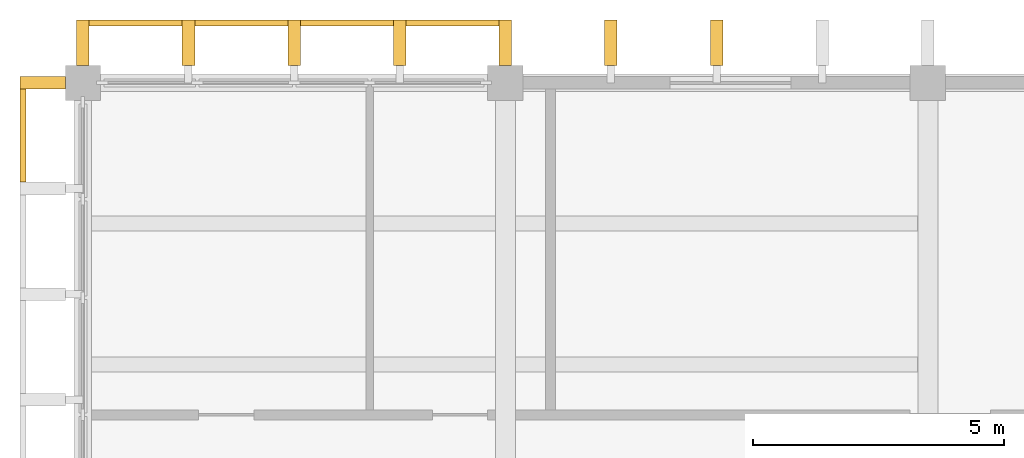
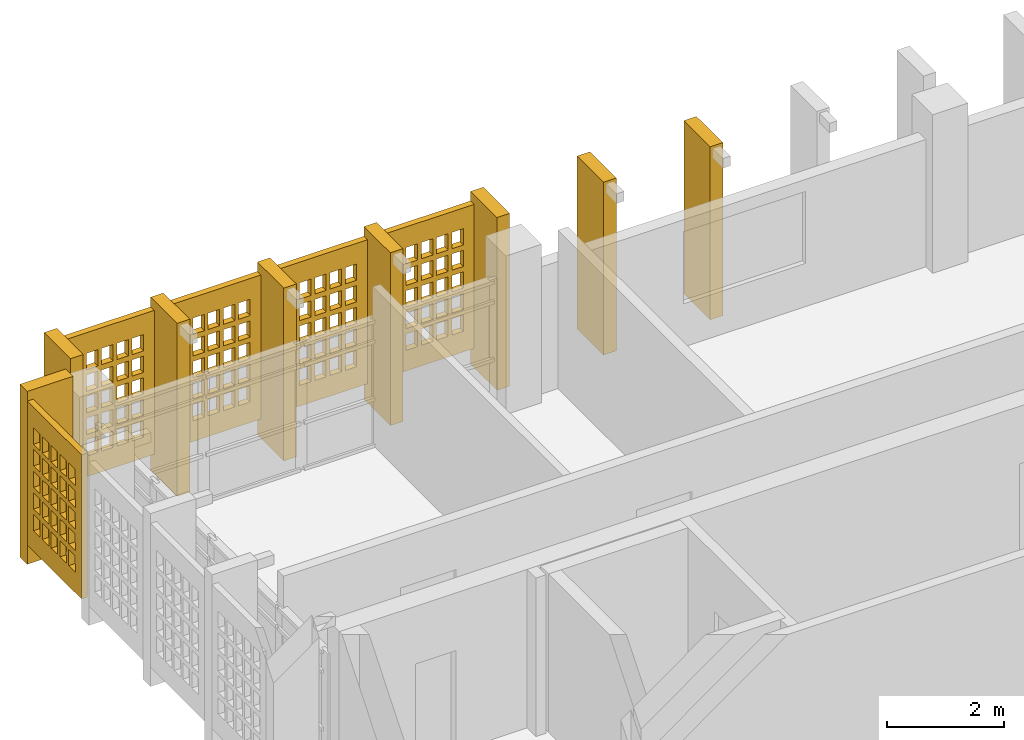
# One storey, part 11 of 13: 13 shading devices, 5 openings.
"""IFC4 building model written with IfcOpenShell, lengths in metres."""

from ifc_helpers import new_model, si_unit, direction, frame, origin, origin_2d, place, context, subcontext, project, spatial, rectangle, extrude, material, layer, layer_set, material_profile, profile_set, type_object, element, save


model = new_model("IFC4")

# Units and contexts
model_context = context("Model", 3, precision=1e-05, world=origin(), true_north=direction((0.0, 1.0)))
body_context = subcontext(model_context, "Body", "Model", "MODEL_VIEW")
ifc_project = project(units=[si_unit("LENGTHUNIT", "METRE"), si_unit("AREAUNIT", "SQUARE_METRE"), si_unit("VOLUMEUNIT", "CUBIC_METRE"), si_unit("PLANEANGLEUNIT", "RADIAN"), si_unit("MASSUNIT", "GRAM", prefix="KILO")], contexts=[model_context])

# Site, building, storey
site_placement = place(None, origin())
site = spatial("IfcSite", under=ifc_project, at=site_placement, CompositionType="ELEMENT")
building_placement = place(site_placement, origin())
building = spatial("IfcBuilding", under=site, at=building_placement, Name="Rulbaag Community and Learning Centre", CompositionType="ELEMENT")
storey_placement = place(building_placement, frame((0.0, 0.0, 54.0)))
storey = spatial("IfcBuildingStorey", under=building, at=storey_placement, Name="L14", CompositionType="ELEMENT", Elevation=54.0)

# Shading devices
ifc_material = material(Name="Concrete M40", Category="concrete")
ifc_material_profile = material_profile(ifc_material, rectangle(XDim=0.25, YDim=0.89990234375, at=origin_2d()), Name="PC 250x900")
ifc_profile_set = profile_set([ifc_material_profile], Name="Concrete M40")
shading_device_type_1 = type_object("IfcShadingDeviceType", Name="FIN-H", PredefinedType="JALOUSIE", material=ifc_profile_set)
for number, where, z_axis, x_axis, name in (
    (1, (142.800048828125, 118.39990234375, 0.0), (0.0, 0.0, 1.0), (1.0, 0.0, 0.0), "Precast fin"),
    (2, (144.89990234375, 118.39990234375, 0.0), (0.0, 0.0, 1.0), (1.0, 0.0, 0.0), "Precast fin"),
    (3, (147.0, 118.39990234375, 0.0), (0.0, 0.0, 1.0), (1.0, 0.0, 0.0), "Precast fin"),
    (4, (149.10009765625, 118.39990234375, 0.0), (0.0, 0.0, 1.0), (1.0, 0.0, 0.0), "Precast fin"),
    (5, (151.199951171875, 118.39990234375, 0.0), (0.0, 0.0, 1.0), (1.0, 0.0, 0.0), "Precast fin"),
    (6, (153.300048828125, 118.39990234375, 0.0), (0.0, 0.0, 1.0), (1.0, 0.0, 0.0), "Precast fin"),
    (7, (155.39990234375, 118.39990234375, 0.0), (0.0, 0.0, 1.0), (1.0, 0.0, 0.0), "Precast fin"),
    (8, (142.0, 117.60009765625, 0.0), (0.0, 0.0, 1.0), (0.0, 1.0, 0.0), "Precast fin"),
):
    element("IfcShadingDevice", number, at=place(storey_placement, frame(where, z_axis=z_axis, x_axis=x_axis)), inside=storey, type_object=shading_device_type_1, Name=name, PredefinedType="JALOUSIE", context=body_context, shape_type="SweptSolid", body=[
        extrude(rectangle(XDim=0.25, YDim=0.89990234375, at=origin_2d()), origin(), (0.0, 0.0, 1.0), 3.60009765625),
    ])

# Shading device, opening
ifc_layer = layer(ifc_material, 0.1201171875)
ifc_layer_set = layer_set([ifc_layer], Name="JB-83")
shading_device_type_2 = type_object("IfcShadingDeviceType", Name="JB-83", PredefinedType="SHUTTER", material=ifc_layer_set)
shading_device_1_placement = place(storey_placement, frame((143.85009765625, 118.7900390625, 0.39990234375), z_axis=(0.0, 0.0, 1.0), x_axis=(1.0, 0.0, 0.0)))
shading_device_1 = element("IfcShadingDevice", 9, at=shading_device_1_placement, inside=storey, type_object=shading_device_type_2, Name="Jaali screen", PredefinedType="SHUTTER", context=body_context, shape_type="SweptSolid", body=[
    extrude(rectangle(XDim=1.85009765625, YDim=0.1201171875, at=origin_2d()), origin(), (0.0, 0.0, 1.0), 3.0),
])
opening_1_placement = place(shading_device_1_placement, origin())
element("IfcOpeningElement", 10, at=opening_1_placement, cuts=shading_device_1, Name="Perforation JB1", PredefinedType="OPENING", context=body_context, shape_type="SweptSolid", body=[
    extrude(rectangle(XDim=0.22509765625, YDim=0.340087890625, at=origin_2d()), frame((-0.60009765625, -0.070068359375, 0.60009765625), z_axis=(0.0, 1.0, 0.0), x_axis=(1.0, 0.0, 0.0)), (0.0, 0.0, 1.0), 0.139892578125),
    extrude(rectangle(XDim=0.22509765625, YDim=0.340087890625, at=origin_2d()), frame((-0.300048828125, -0.070068359375, 0.60009765625), z_axis=(0.0, 1.0, 0.0), x_axis=(1.0, 0.0, 0.0)), (0.0, 0.0, 1.0), 0.139892578125),
    extrude(rectangle(XDim=0.22509765625, YDim=0.340087890625, at=origin_2d()), frame((0.0, -0.070068359375, 0.60009765625), z_axis=(0.0, 1.0, 0.0), x_axis=(1.0, 0.0, 0.0)), (0.0, 0.0, 1.0), 0.139892578125),
    extrude(rectangle(XDim=0.22509765625, YDim=0.340087890625, at=origin_2d()), frame((0.300048828125, -0.070068359375, 0.60009765625), z_axis=(0.0, 1.0, 0.0), x_axis=(1.0, 0.0, 0.0)), (0.0, 0.0, 1.0), 0.139892578125),
    extrude(rectangle(XDim=0.22509765625, YDim=0.340087890625, at=origin_2d()), frame((0.60009765625, -0.070068359375, 0.60009765625), z_axis=(0.0, 1.0, 0.0), x_axis=(1.0, 0.0, 0.0)), (0.0, 0.0, 1.0), 0.139892578125),
    extrude(rectangle(XDim=0.22509765625, YDim=0.340087890625, at=origin_2d()), frame((-0.60009765625, -0.070068359375, 1.050048828125), z_axis=(0.0, 1.0, 0.0), x_axis=(1.0, 0.0, 0.0)), (0.0, 0.0, 1.0), 0.139892578125),
    extrude(rectangle(XDim=0.22509765625, YDim=0.340087890625, at=origin_2d()), frame((-0.300048828125, -0.070068359375, 1.050048828125), z_axis=(0.0, 1.0, 0.0), x_axis=(1.0, 0.0, 0.0)), (0.0, 0.0, 1.0), 0.139892578125),
    extrude(rectangle(XDim=0.22509765625, YDim=0.340087890625, at=origin_2d()), frame((0.0, -0.070068359375, 1.050048828125), z_axis=(0.0, 1.0, 0.0), x_axis=(1.0, 0.0, 0.0)), (0.0, 0.0, 1.0), 0.139892578125),
    extrude(rectangle(XDim=0.22509765625, YDim=0.340087890625, at=origin_2d()), frame((0.300048828125, -0.070068359375, 1.050048828125), z_axis=(0.0, 1.0, 0.0), x_axis=(1.0, 0.0, 0.0)), (0.0, 0.0, 1.0), 0.139892578125),
    extrude(rectangle(XDim=0.22509765625, YDim=0.340087890625, at=origin_2d()), frame((0.60009765625, -0.070068359375, 1.050048828125), z_axis=(0.0, 1.0, 0.0), x_axis=(1.0, 0.0, 0.0)), (0.0, 0.0, 1.0), 0.139892578125),
    extrude(rectangle(XDim=0.22509765625, YDim=0.340087890625, at=origin_2d()), frame((-0.60009765625, -0.070068359375, 1.5), z_axis=(0.0, 1.0, 0.0), x_axis=(1.0, 0.0, 0.0)), (0.0, 0.0, 1.0), 0.139892578125),
    extrude(rectangle(XDim=0.22509765625, YDim=0.340087890625, at=origin_2d()), frame((-0.300048828125, -0.070068359375, 1.5), z_axis=(0.0, 1.0, 0.0), x_axis=(1.0, 0.0, 0.0)), (0.0, 0.0, 1.0), 0.139892578125),
    extrude(rectangle(XDim=0.22509765625, YDim=0.340087890625, at=origin_2d()), frame((0.0, -0.070068359375, 1.5), z_axis=(0.0, 1.0, 0.0), x_axis=(1.0, 0.0, 0.0)), (0.0, 0.0, 1.0), 0.139892578125),
    extrude(rectangle(XDim=0.22509765625, YDim=0.340087890625, at=origin_2d()), frame((0.300048828125, -0.070068359375, 1.5), z_axis=(0.0, 1.0, 0.0), x_axis=(1.0, 0.0, 0.0)), (0.0, 0.0, 1.0), 0.139892578125),
    extrude(rectangle(XDim=0.22509765625, YDim=0.340087890625, at=origin_2d()), frame((0.60009765625, -0.070068359375, 1.5), z_axis=(0.0, 1.0, 0.0), x_axis=(1.0, 0.0, 0.0)), (0.0, 0.0, 1.0), 0.139892578125),
    extrude(rectangle(XDim=0.22509765625, YDim=0.340087890625, at=origin_2d()), frame((-0.60009765625, -0.070068359375, 1.949951171875), z_axis=(0.0, 1.0, 0.0), x_axis=(1.0, 0.0, 0.0)), (0.0, 0.0, 1.0), 0.139892578125),
    extrude(rectangle(XDim=0.22509765625, YDim=0.340087890625, at=origin_2d()), frame((-0.300048828125, -0.070068359375, 1.949951171875), z_axis=(0.0, 1.0, 0.0), x_axis=(1.0, 0.0, 0.0)), (0.0, 0.0, 1.0), 0.139892578125),
    extrude(rectangle(XDim=0.22509765625, YDim=0.340087890625, at=origin_2d()), frame((0.0, -0.070068359375, 1.949951171875), z_axis=(0.0, 1.0, 0.0), x_axis=(1.0, 0.0, 0.0)), (0.0, 0.0, 1.0), 0.139892578125),
    extrude(rectangle(XDim=0.22509765625, YDim=0.340087890625, at=origin_2d()), frame((0.300048828125, -0.070068359375, 1.949951171875), z_axis=(0.0, 1.0, 0.0), x_axis=(1.0, 0.0, 0.0)), (0.0, 0.0, 1.0), 0.139892578125),
    extrude(rectangle(XDim=0.22509765625, YDim=0.340087890625, at=origin_2d()), frame((0.60009765625, -0.070068359375, 1.949951171875), z_axis=(0.0, 1.0, 0.0), x_axis=(1.0, 0.0, 0.0)), (0.0, 0.0, 1.0), 0.139892578125),
    extrude(rectangle(XDim=0.22509765625, YDim=0.340087890625, at=origin_2d()), frame((-0.60009765625, -0.070068359375, 2.39990234375), z_axis=(0.0, 1.0, 0.0), x_axis=(1.0, 0.0, 0.0)), (0.0, 0.0, 1.0), 0.139892578125),
    extrude(rectangle(XDim=0.22509765625, YDim=0.340087890625, at=origin_2d()), frame((-0.300048828125, -0.070068359375, 2.39990234375), z_axis=(0.0, 1.0, 0.0), x_axis=(1.0, 0.0, 0.0)), (0.0, 0.0, 1.0), 0.139892578125),
    extrude(rectangle(XDim=0.22509765625, YDim=0.340087890625, at=origin_2d()), frame((0.0, -0.070068359375, 2.39990234375), z_axis=(0.0, 1.0, 0.0), x_axis=(1.0, 0.0, 0.0)), (0.0, 0.0, 1.0), 0.139892578125),
    extrude(rectangle(XDim=0.22509765625, YDim=0.340087890625, at=origin_2d()), frame((0.300048828125, -0.070068359375, 2.39990234375), z_axis=(0.0, 1.0, 0.0), x_axis=(1.0, 0.0, 0.0)), (0.0, 0.0, 1.0), 0.139892578125),
    extrude(rectangle(XDim=0.22509765625, YDim=0.340087890625, at=origin_2d()), frame((0.60009765625, -0.070068359375, 2.39990234375), z_axis=(0.0, 1.0, 0.0), x_axis=(1.0, 0.0, 0.0)), (0.0, 0.0, 1.0), 0.139892578125),
])

shading_device_2_placement = place(storey_placement, frame((145.949951171875, 118.7900390625, 0.39990234375), z_axis=(0.0, 0.0, 1.0), x_axis=(1.0, 0.0, 0.0)))
shading_device_2 = element("IfcShadingDevice", 11, at=shading_device_2_placement, inside=storey, type_object=shading_device_type_2, Name="Jaali screen", PredefinedType="SHUTTER", context=body_context, shape_type="SweptSolid", body=[
    extrude(rectangle(XDim=1.85009765625, YDim=0.1201171875, at=origin_2d()), origin(), (0.0, 0.0, 1.0), 3.0),
])
opening_2_placement = place(shading_device_2_placement, origin())
element("IfcOpeningElement", 12, at=opening_2_placement, cuts=shading_device_2, Name="Perforation JB1", PredefinedType="OPENING", context=body_context, shape_type="SweptSolid", body=[
    extrude(rectangle(XDim=0.22509765625, YDim=0.340087890625, at=origin_2d()), frame((-0.60009765625, -0.070068359375, 0.60009765625), z_axis=(0.0, 1.0, 0.0), x_axis=(1.0, 0.0, 0.0)), (0.0, 0.0, 1.0), 0.139892578125),
    extrude(rectangle(XDim=0.22509765625, YDim=0.340087890625, at=origin_2d()), frame((-0.300048828125, -0.070068359375, 0.60009765625), z_axis=(0.0, 1.0, 0.0), x_axis=(1.0, 0.0, 0.0)), (0.0, 0.0, 1.0), 0.139892578125),
    extrude(rectangle(XDim=0.22509765625, YDim=0.340087890625, at=origin_2d()), frame((0.0, -0.070068359375, 0.60009765625), z_axis=(0.0, 1.0, 0.0), x_axis=(1.0, 0.0, 0.0)), (0.0, 0.0, 1.0), 0.139892578125),
    extrude(rectangle(XDim=0.22509765625, YDim=0.340087890625, at=origin_2d()), frame((0.300048828125, -0.070068359375, 0.60009765625), z_axis=(0.0, 1.0, 0.0), x_axis=(1.0, 0.0, 0.0)), (0.0, 0.0, 1.0), 0.139892578125),
    extrude(rectangle(XDim=0.22509765625, YDim=0.340087890625, at=origin_2d()), frame((0.60009765625, -0.070068359375, 0.60009765625), z_axis=(0.0, 1.0, 0.0), x_axis=(1.0, 0.0, 0.0)), (0.0, 0.0, 1.0), 0.139892578125),
    extrude(rectangle(XDim=0.22509765625, YDim=0.340087890625, at=origin_2d()), frame((-0.60009765625, -0.070068359375, 1.050048828125), z_axis=(0.0, 1.0, 0.0), x_axis=(1.0, 0.0, 0.0)), (0.0, 0.0, 1.0), 0.139892578125),
    extrude(rectangle(XDim=0.22509765625, YDim=0.340087890625, at=origin_2d()), frame((-0.300048828125, -0.070068359375, 1.050048828125), z_axis=(0.0, 1.0, 0.0), x_axis=(1.0, 0.0, 0.0)), (0.0, 0.0, 1.0), 0.139892578125),
    extrude(rectangle(XDim=0.22509765625, YDim=0.340087890625, at=origin_2d()), frame((0.0, -0.070068359375, 1.050048828125), z_axis=(0.0, 1.0, 0.0), x_axis=(1.0, 0.0, 0.0)), (0.0, 0.0, 1.0), 0.139892578125),
    extrude(rectangle(XDim=0.22509765625, YDim=0.340087890625, at=origin_2d()), frame((0.300048828125, -0.070068359375, 1.050048828125), z_axis=(0.0, 1.0, 0.0), x_axis=(1.0, 0.0, 0.0)), (0.0, 0.0, 1.0), 0.139892578125),
    extrude(rectangle(XDim=0.22509765625, YDim=0.340087890625, at=origin_2d()), frame((0.60009765625, -0.070068359375, 1.050048828125), z_axis=(0.0, 1.0, 0.0), x_axis=(1.0, 0.0, 0.0)), (0.0, 0.0, 1.0), 0.139892578125),
    extrude(rectangle(XDim=0.22509765625, YDim=0.340087890625, at=origin_2d()), frame((-0.60009765625, -0.070068359375, 1.5), z_axis=(0.0, 1.0, 0.0), x_axis=(1.0, 0.0, 0.0)), (0.0, 0.0, 1.0), 0.139892578125),
    extrude(rectangle(XDim=0.22509765625, YDim=0.340087890625, at=origin_2d()), frame((-0.300048828125, -0.070068359375, 1.5), z_axis=(0.0, 1.0, 0.0), x_axis=(1.0, 0.0, 0.0)), (0.0, 0.0, 1.0), 0.139892578125),
    extrude(rectangle(XDim=0.22509765625, YDim=0.340087890625, at=origin_2d()), frame((0.0, -0.070068359375, 1.5), z_axis=(0.0, 1.0, 0.0), x_axis=(1.0, 0.0, 0.0)), (0.0, 0.0, 1.0), 0.139892578125),
    extrude(rectangle(XDim=0.22509765625, YDim=0.340087890625, at=origin_2d()), frame((0.300048828125, -0.070068359375, 1.5), z_axis=(0.0, 1.0, 0.0), x_axis=(1.0, 0.0, 0.0)), (0.0, 0.0, 1.0), 0.139892578125),
    extrude(rectangle(XDim=0.22509765625, YDim=0.340087890625, at=origin_2d()), frame((0.60009765625, -0.070068359375, 1.5), z_axis=(0.0, 1.0, 0.0), x_axis=(1.0, 0.0, 0.0)), (0.0, 0.0, 1.0), 0.139892578125),
    extrude(rectangle(XDim=0.22509765625, YDim=0.340087890625, at=origin_2d()), frame((-0.60009765625, -0.070068359375, 1.949951171875), z_axis=(0.0, 1.0, 0.0), x_axis=(1.0, 0.0, 0.0)), (0.0, 0.0, 1.0), 0.139892578125),
    extrude(rectangle(XDim=0.22509765625, YDim=0.340087890625, at=origin_2d()), frame((-0.300048828125, -0.070068359375, 1.949951171875), z_axis=(0.0, 1.0, 0.0), x_axis=(1.0, 0.0, 0.0)), (0.0, 0.0, 1.0), 0.139892578125),
    extrude(rectangle(XDim=0.22509765625, YDim=0.340087890625, at=origin_2d()), frame((0.0, -0.070068359375, 1.949951171875), z_axis=(0.0, 1.0, 0.0), x_axis=(1.0, 0.0, 0.0)), (0.0, 0.0, 1.0), 0.139892578125),
    extrude(rectangle(XDim=0.22509765625, YDim=0.340087890625, at=origin_2d()), frame((0.300048828125, -0.070068359375, 1.949951171875), z_axis=(0.0, 1.0, 0.0), x_axis=(1.0, 0.0, 0.0)), (0.0, 0.0, 1.0), 0.139892578125),
    extrude(rectangle(XDim=0.22509765625, YDim=0.340087890625, at=origin_2d()), frame((0.60009765625, -0.070068359375, 1.949951171875), z_axis=(0.0, 1.0, 0.0), x_axis=(1.0, 0.0, 0.0)), (0.0, 0.0, 1.0), 0.139892578125),
    extrude(rectangle(XDim=0.22509765625, YDim=0.340087890625, at=origin_2d()), frame((-0.60009765625, -0.070068359375, 2.39990234375), z_axis=(0.0, 1.0, 0.0), x_axis=(1.0, 0.0, 0.0)), (0.0, 0.0, 1.0), 0.139892578125),
    extrude(rectangle(XDim=0.22509765625, YDim=0.340087890625, at=origin_2d()), frame((-0.300048828125, -0.070068359375, 2.39990234375), z_axis=(0.0, 1.0, 0.0), x_axis=(1.0, 0.0, 0.0)), (0.0, 0.0, 1.0), 0.139892578125),
    extrude(rectangle(XDim=0.22509765625, YDim=0.340087890625, at=origin_2d()), frame((0.0, -0.070068359375, 2.39990234375), z_axis=(0.0, 1.0, 0.0), x_axis=(1.0, 0.0, 0.0)), (0.0, 0.0, 1.0), 0.139892578125),
    extrude(rectangle(XDim=0.22509765625, YDim=0.340087890625, at=origin_2d()), frame((0.300048828125, -0.070068359375, 2.39990234375), z_axis=(0.0, 1.0, 0.0), x_axis=(1.0, 0.0, 0.0)), (0.0, 0.0, 1.0), 0.139892578125),
    extrude(rectangle(XDim=0.22509765625, YDim=0.340087890625, at=origin_2d()), frame((0.60009765625, -0.070068359375, 2.39990234375), z_axis=(0.0, 1.0, 0.0), x_axis=(1.0, 0.0, 0.0)), (0.0, 0.0, 1.0), 0.139892578125),
])

shading_device_3_placement = place(storey_placement, frame((148.050048828125, 118.7900390625, 0.39990234375), z_axis=(0.0, 0.0, 1.0), x_axis=(1.0, 0.0, 0.0)))
shading_device_3 = element("IfcShadingDevice", 13, at=shading_device_3_placement, inside=storey, type_object=shading_device_type_2, Name="Jaali screen", PredefinedType="SHUTTER", context=body_context, shape_type="SweptSolid", body=[
    extrude(rectangle(XDim=1.85009765625, YDim=0.1201171875, at=origin_2d()), origin(), (0.0, 0.0, 1.0), 3.0),
])
opening_3_placement = place(shading_device_3_placement, origin())
element("IfcOpeningElement", 14, at=opening_3_placement, cuts=shading_device_3, Name="Perforation JB1", PredefinedType="OPENING", context=body_context, shape_type="SweptSolid", body=[
    extrude(rectangle(XDim=0.22509765625, YDim=0.340087890625, at=origin_2d()), frame((-0.60009765625, -0.070068359375, 0.60009765625), z_axis=(0.0, 1.0, 0.0), x_axis=(1.0, 0.0, 0.0)), (0.0, 0.0, 1.0), 0.139892578125),
    extrude(rectangle(XDim=0.22509765625, YDim=0.340087890625, at=origin_2d()), frame((-0.300048828125, -0.070068359375, 0.60009765625), z_axis=(0.0, 1.0, 0.0), x_axis=(1.0, 0.0, 0.0)), (0.0, 0.0, 1.0), 0.139892578125),
    extrude(rectangle(XDim=0.22509765625, YDim=0.340087890625, at=origin_2d()), frame((0.0, -0.070068359375, 0.60009765625), z_axis=(0.0, 1.0, 0.0), x_axis=(1.0, 0.0, 0.0)), (0.0, 0.0, 1.0), 0.139892578125),
    extrude(rectangle(XDim=0.22509765625, YDim=0.340087890625, at=origin_2d()), frame((0.300048828125, -0.070068359375, 0.60009765625), z_axis=(0.0, 1.0, 0.0), x_axis=(1.0, 0.0, 0.0)), (0.0, 0.0, 1.0), 0.139892578125),
    extrude(rectangle(XDim=0.22509765625, YDim=0.340087890625, at=origin_2d()), frame((0.60009765625, -0.070068359375, 0.60009765625), z_axis=(0.0, 1.0, 0.0), x_axis=(1.0, 0.0, 0.0)), (0.0, 0.0, 1.0), 0.139892578125),
    extrude(rectangle(XDim=0.22509765625, YDim=0.340087890625, at=origin_2d()), frame((-0.60009765625, -0.070068359375, 1.050048828125), z_axis=(0.0, 1.0, 0.0), x_axis=(1.0, 0.0, 0.0)), (0.0, 0.0, 1.0), 0.139892578125),
    extrude(rectangle(XDim=0.22509765625, YDim=0.340087890625, at=origin_2d()), frame((-0.300048828125, -0.070068359375, 1.050048828125), z_axis=(0.0, 1.0, 0.0), x_axis=(1.0, 0.0, 0.0)), (0.0, 0.0, 1.0), 0.139892578125),
    extrude(rectangle(XDim=0.22509765625, YDim=0.340087890625, at=origin_2d()), frame((0.0, -0.070068359375, 1.050048828125), z_axis=(0.0, 1.0, 0.0), x_axis=(1.0, 0.0, 0.0)), (0.0, 0.0, 1.0), 0.139892578125),
    extrude(rectangle(XDim=0.22509765625, YDim=0.340087890625, at=origin_2d()), frame((0.300048828125, -0.070068359375, 1.050048828125), z_axis=(0.0, 1.0, 0.0), x_axis=(1.0, 0.0, 0.0)), (0.0, 0.0, 1.0), 0.139892578125),
    extrude(rectangle(XDim=0.22509765625, YDim=0.340087890625, at=origin_2d()), frame((0.60009765625, -0.070068359375, 1.050048828125), z_axis=(0.0, 1.0, 0.0), x_axis=(1.0, 0.0, 0.0)), (0.0, 0.0, 1.0), 0.139892578125),
    extrude(rectangle(XDim=0.22509765625, YDim=0.340087890625, at=origin_2d()), frame((-0.60009765625, -0.070068359375, 1.5), z_axis=(0.0, 1.0, 0.0), x_axis=(1.0, 0.0, 0.0)), (0.0, 0.0, 1.0), 0.139892578125),
    extrude(rectangle(XDim=0.22509765625, YDim=0.340087890625, at=origin_2d()), frame((-0.300048828125, -0.070068359375, 1.5), z_axis=(0.0, 1.0, 0.0), x_axis=(1.0, 0.0, 0.0)), (0.0, 0.0, 1.0), 0.139892578125),
    extrude(rectangle(XDim=0.22509765625, YDim=0.340087890625, at=origin_2d()), frame((0.0, -0.070068359375, 1.5), z_axis=(0.0, 1.0, 0.0), x_axis=(1.0, 0.0, 0.0)), (0.0, 0.0, 1.0), 0.139892578125),
    extrude(rectangle(XDim=0.22509765625, YDim=0.340087890625, at=origin_2d()), frame((0.300048828125, -0.070068359375, 1.5), z_axis=(0.0, 1.0, 0.0), x_axis=(1.0, 0.0, 0.0)), (0.0, 0.0, 1.0), 0.139892578125),
    extrude(rectangle(XDim=0.22509765625, YDim=0.340087890625, at=origin_2d()), frame((0.60009765625, -0.070068359375, 1.5), z_axis=(0.0, 1.0, 0.0), x_axis=(1.0, 0.0, 0.0)), (0.0, 0.0, 1.0), 0.139892578125),
    extrude(rectangle(XDim=0.22509765625, YDim=0.340087890625, at=origin_2d()), frame((-0.60009765625, -0.070068359375, 1.949951171875), z_axis=(0.0, 1.0, 0.0), x_axis=(1.0, 0.0, 0.0)), (0.0, 0.0, 1.0), 0.139892578125),
    extrude(rectangle(XDim=0.22509765625, YDim=0.340087890625, at=origin_2d()), frame((-0.300048828125, -0.070068359375, 1.949951171875), z_axis=(0.0, 1.0, 0.0), x_axis=(1.0, 0.0, 0.0)), (0.0, 0.0, 1.0), 0.139892578125),
    extrude(rectangle(XDim=0.22509765625, YDim=0.340087890625, at=origin_2d()), frame((0.0, -0.070068359375, 1.949951171875), z_axis=(0.0, 1.0, 0.0), x_axis=(1.0, 0.0, 0.0)), (0.0, 0.0, 1.0), 0.139892578125),
    extrude(rectangle(XDim=0.22509765625, YDim=0.340087890625, at=origin_2d()), frame((0.300048828125, -0.070068359375, 1.949951171875), z_axis=(0.0, 1.0, 0.0), x_axis=(1.0, 0.0, 0.0)), (0.0, 0.0, 1.0), 0.139892578125),
    extrude(rectangle(XDim=0.22509765625, YDim=0.340087890625, at=origin_2d()), frame((0.60009765625, -0.070068359375, 1.949951171875), z_axis=(0.0, 1.0, 0.0), x_axis=(1.0, 0.0, 0.0)), (0.0, 0.0, 1.0), 0.139892578125),
    extrude(rectangle(XDim=0.22509765625, YDim=0.340087890625, at=origin_2d()), frame((-0.60009765625, -0.070068359375, 2.39990234375), z_axis=(0.0, 1.0, 0.0), x_axis=(1.0, 0.0, 0.0)), (0.0, 0.0, 1.0), 0.139892578125),
    extrude(rectangle(XDim=0.22509765625, YDim=0.340087890625, at=origin_2d()), frame((-0.300048828125, -0.070068359375, 2.39990234375), z_axis=(0.0, 1.0, 0.0), x_axis=(1.0, 0.0, 0.0)), (0.0, 0.0, 1.0), 0.139892578125),
    extrude(rectangle(XDim=0.22509765625, YDim=0.340087890625, at=origin_2d()), frame((0.0, -0.070068359375, 2.39990234375), z_axis=(0.0, 1.0, 0.0), x_axis=(1.0, 0.0, 0.0)), (0.0, 0.0, 1.0), 0.139892578125),
    extrude(rectangle(XDim=0.22509765625, YDim=0.340087890625, at=origin_2d()), frame((0.300048828125, -0.070068359375, 2.39990234375), z_axis=(0.0, 1.0, 0.0), x_axis=(1.0, 0.0, 0.0)), (0.0, 0.0, 1.0), 0.139892578125),
    extrude(rectangle(XDim=0.22509765625, YDim=0.340087890625, at=origin_2d()), frame((0.60009765625, -0.070068359375, 2.39990234375), z_axis=(0.0, 1.0, 0.0), x_axis=(1.0, 0.0, 0.0)), (0.0, 0.0, 1.0), 0.139892578125),
])

shading_device_4_placement = place(storey_placement, frame((150.14990234375, 118.7900390625, 0.39990234375), z_axis=(0.0, 0.0, 1.0), x_axis=(1.0, 0.0, 0.0)))
shading_device_4 = element("IfcShadingDevice", 15, at=shading_device_4_placement, inside=storey, type_object=shading_device_type_2, Name="Jaali screen", PredefinedType="SHUTTER", context=body_context, shape_type="SweptSolid", body=[
    extrude(rectangle(XDim=1.85009765625, YDim=0.1201171875, at=origin_2d()), origin(), (0.0, 0.0, 1.0), 3.0),
])
opening_4_placement = place(shading_device_4_placement, origin())
element("IfcOpeningElement", 16, at=opening_4_placement, cuts=shading_device_4, Name="Perforation JB1", PredefinedType="OPENING", context=body_context, shape_type="SweptSolid", body=[
    extrude(rectangle(XDim=0.22509765625, YDim=0.340087890625, at=origin_2d()), frame((-0.60009765625, -0.070068359375, 0.60009765625), z_axis=(0.0, 1.0, 0.0), x_axis=(1.0, 0.0, 0.0)), (0.0, 0.0, 1.0), 0.139892578125),
    extrude(rectangle(XDim=0.22509765625, YDim=0.340087890625, at=origin_2d()), frame((-0.300048828125, -0.070068359375, 0.60009765625), z_axis=(0.0, 1.0, 0.0), x_axis=(1.0, 0.0, 0.0)), (0.0, 0.0, 1.0), 0.139892578125),
    extrude(rectangle(XDim=0.22509765625, YDim=0.340087890625, at=origin_2d()), frame((0.0, -0.070068359375, 0.60009765625), z_axis=(0.0, 1.0, 0.0), x_axis=(1.0, 0.0, 0.0)), (0.0, 0.0, 1.0), 0.139892578125),
    extrude(rectangle(XDim=0.22509765625, YDim=0.340087890625, at=origin_2d()), frame((0.300048828125, -0.070068359375, 0.60009765625), z_axis=(0.0, 1.0, 0.0), x_axis=(1.0, 0.0, 0.0)), (0.0, 0.0, 1.0), 0.139892578125),
    extrude(rectangle(XDim=0.22509765625, YDim=0.340087890625, at=origin_2d()), frame((0.60009765625, -0.070068359375, 0.60009765625), z_axis=(0.0, 1.0, 0.0), x_axis=(1.0, 0.0, 0.0)), (0.0, 0.0, 1.0), 0.139892578125),
    extrude(rectangle(XDim=0.22509765625, YDim=0.340087890625, at=origin_2d()), frame((-0.60009765625, -0.070068359375, 1.050048828125), z_axis=(0.0, 1.0, 0.0), x_axis=(1.0, 0.0, 0.0)), (0.0, 0.0, 1.0), 0.139892578125),
    extrude(rectangle(XDim=0.22509765625, YDim=0.340087890625, at=origin_2d()), frame((-0.300048828125, -0.070068359375, 1.050048828125), z_axis=(0.0, 1.0, 0.0), x_axis=(1.0, 0.0, 0.0)), (0.0, 0.0, 1.0), 0.139892578125),
    extrude(rectangle(XDim=0.22509765625, YDim=0.340087890625, at=origin_2d()), frame((0.0, -0.070068359375, 1.050048828125), z_axis=(0.0, 1.0, 0.0), x_axis=(1.0, 0.0, 0.0)), (0.0, 0.0, 1.0), 0.139892578125),
    extrude(rectangle(XDim=0.22509765625, YDim=0.340087890625, at=origin_2d()), frame((0.300048828125, -0.070068359375, 1.050048828125), z_axis=(0.0, 1.0, 0.0), x_axis=(1.0, 0.0, 0.0)), (0.0, 0.0, 1.0), 0.139892578125),
    extrude(rectangle(XDim=0.22509765625, YDim=0.340087890625, at=origin_2d()), frame((0.60009765625, -0.070068359375, 1.050048828125), z_axis=(0.0, 1.0, 0.0), x_axis=(1.0, 0.0, 0.0)), (0.0, 0.0, 1.0), 0.139892578125),
    extrude(rectangle(XDim=0.22509765625, YDim=0.340087890625, at=origin_2d()), frame((-0.60009765625, -0.070068359375, 1.5), z_axis=(0.0, 1.0, 0.0), x_axis=(1.0, 0.0, 0.0)), (0.0, 0.0, 1.0), 0.139892578125),
    extrude(rectangle(XDim=0.22509765625, YDim=0.340087890625, at=origin_2d()), frame((-0.300048828125, -0.070068359375, 1.5), z_axis=(0.0, 1.0, 0.0), x_axis=(1.0, 0.0, 0.0)), (0.0, 0.0, 1.0), 0.139892578125),
    extrude(rectangle(XDim=0.22509765625, YDim=0.340087890625, at=origin_2d()), frame((0.0, -0.070068359375, 1.5), z_axis=(0.0, 1.0, 0.0), x_axis=(1.0, 0.0, 0.0)), (0.0, 0.0, 1.0), 0.139892578125),
    extrude(rectangle(XDim=0.22509765625, YDim=0.340087890625, at=origin_2d()), frame((0.300048828125, -0.070068359375, 1.5), z_axis=(0.0, 1.0, 0.0), x_axis=(1.0, 0.0, 0.0)), (0.0, 0.0, 1.0), 0.139892578125),
    extrude(rectangle(XDim=0.22509765625, YDim=0.340087890625, at=origin_2d()), frame((0.60009765625, -0.070068359375, 1.5), z_axis=(0.0, 1.0, 0.0), x_axis=(1.0, 0.0, 0.0)), (0.0, 0.0, 1.0), 0.139892578125),
    extrude(rectangle(XDim=0.22509765625, YDim=0.340087890625, at=origin_2d()), frame((-0.60009765625, -0.070068359375, 1.949951171875), z_axis=(0.0, 1.0, 0.0), x_axis=(1.0, 0.0, 0.0)), (0.0, 0.0, 1.0), 0.139892578125),
    extrude(rectangle(XDim=0.22509765625, YDim=0.340087890625, at=origin_2d()), frame((-0.300048828125, -0.070068359375, 1.949951171875), z_axis=(0.0, 1.0, 0.0), x_axis=(1.0, 0.0, 0.0)), (0.0, 0.0, 1.0), 0.139892578125),
    extrude(rectangle(XDim=0.22509765625, YDim=0.340087890625, at=origin_2d()), frame((0.0, -0.070068359375, 1.949951171875), z_axis=(0.0, 1.0, 0.0), x_axis=(1.0, 0.0, 0.0)), (0.0, 0.0, 1.0), 0.139892578125),
    extrude(rectangle(XDim=0.22509765625, YDim=0.340087890625, at=origin_2d()), frame((0.300048828125, -0.070068359375, 1.949951171875), z_axis=(0.0, 1.0, 0.0), x_axis=(1.0, 0.0, 0.0)), (0.0, 0.0, 1.0), 0.139892578125),
    extrude(rectangle(XDim=0.22509765625, YDim=0.340087890625, at=origin_2d()), frame((0.60009765625, -0.070068359375, 1.949951171875), z_axis=(0.0, 1.0, 0.0), x_axis=(1.0, 0.0, 0.0)), (0.0, 0.0, 1.0), 0.139892578125),
    extrude(rectangle(XDim=0.22509765625, YDim=0.340087890625, at=origin_2d()), frame((-0.60009765625, -0.070068359375, 2.39990234375), z_axis=(0.0, 1.0, 0.0), x_axis=(1.0, 0.0, 0.0)), (0.0, 0.0, 1.0), 0.139892578125),
    extrude(rectangle(XDim=0.22509765625, YDim=0.340087890625, at=origin_2d()), frame((-0.300048828125, -0.070068359375, 2.39990234375), z_axis=(0.0, 1.0, 0.0), x_axis=(1.0, 0.0, 0.0)), (0.0, 0.0, 1.0), 0.139892578125),
    extrude(rectangle(XDim=0.22509765625, YDim=0.340087890625, at=origin_2d()), frame((0.0, -0.070068359375, 2.39990234375), z_axis=(0.0, 1.0, 0.0), x_axis=(1.0, 0.0, 0.0)), (0.0, 0.0, 1.0), 0.139892578125),
    extrude(rectangle(XDim=0.22509765625, YDim=0.340087890625, at=origin_2d()), frame((0.300048828125, -0.070068359375, 2.39990234375), z_axis=(0.0, 1.0, 0.0), x_axis=(1.0, 0.0, 0.0)), (0.0, 0.0, 1.0), 0.139892578125),
    extrude(rectangle(XDim=0.22509765625, YDim=0.340087890625, at=origin_2d()), frame((0.60009765625, -0.070068359375, 2.39990234375), z_axis=(0.0, 1.0, 0.0), x_axis=(1.0, 0.0, 0.0)), (0.0, 0.0, 1.0), 0.139892578125),
])

shading_device_5_placement = place(storey_placement, frame((141.610107421875, 116.550048828125, 0.39990234375), z_axis=(0.0, 0.0, 1.0), x_axis=(1.0, 0.0, 0.0)))
shading_device_5 = element("IfcShadingDevice", 17, at=shading_device_5_placement, inside=storey, type_object=shading_device_type_2, Name="Jaali screen", PredefinedType="SHUTTER", context=body_context, shape_type="SweptSolid", body=[
    extrude(rectangle(XDim=0.1201171875, YDim=1.85009765625, at=origin_2d()), origin(), (0.0, 0.0, 1.0), 3.0),
])
opening_5_placement = place(shading_device_5_placement, origin())
element("IfcOpeningElement", 18, at=opening_5_placement, cuts=shading_device_5, Name="Perforation JB1", PredefinedType="OPENING", context=body_context, shape_type="SweptSolid", body=[
    extrude(rectangle(XDim=0.22509765625, YDim=0.340087890625, at=origin_2d()), frame((-0.070068359375, -0.60009765625, 0.60009765625), z_axis=(1.0, 0.0, 0.0), x_axis=(0.0, 1.0, 0.0)), (0.0, 0.0, 1.0), 0.139892578125),
    extrude(rectangle(XDim=0.22509765625, YDim=0.340087890625, at=origin_2d()), frame((-0.070068359375, -0.300048828125, 0.60009765625), z_axis=(1.0, 0.0, 0.0), x_axis=(0.0, 1.0, 0.0)), (0.0, 0.0, 1.0), 0.139892578125),
    extrude(rectangle(XDim=0.22509765625, YDim=0.340087890625, at=origin_2d()), frame((-0.070068359375, 0.0, 0.60009765625), z_axis=(1.0, 0.0, 0.0), x_axis=(0.0, 1.0, 0.0)), (0.0, 0.0, 1.0), 0.139892578125),
    extrude(rectangle(XDim=0.22509765625, YDim=0.340087890625, at=origin_2d()), frame((-0.070068359375, 0.300048828125, 0.60009765625), z_axis=(1.0, 0.0, 0.0), x_axis=(0.0, 1.0, 0.0)), (0.0, 0.0, 1.0), 0.139892578125),
    extrude(rectangle(XDim=0.22509765625, YDim=0.340087890625, at=origin_2d()), frame((-0.070068359375, 0.60009765625, 0.60009765625), z_axis=(1.0, 0.0, 0.0), x_axis=(0.0, 1.0, 0.0)), (0.0, 0.0, 1.0), 0.139892578125),
    extrude(rectangle(XDim=0.22509765625, YDim=0.340087890625, at=origin_2d()), frame((-0.070068359375, -0.60009765625, 1.050048828125), z_axis=(1.0, 0.0, 0.0), x_axis=(0.0, 1.0, 0.0)), (0.0, 0.0, 1.0), 0.139892578125),
    extrude(rectangle(XDim=0.22509765625, YDim=0.340087890625, at=origin_2d()), frame((-0.070068359375, -0.300048828125, 1.050048828125), z_axis=(1.0, 0.0, 0.0), x_axis=(0.0, 1.0, 0.0)), (0.0, 0.0, 1.0), 0.139892578125),
    extrude(rectangle(XDim=0.22509765625, YDim=0.340087890625, at=origin_2d()), frame((-0.070068359375, 0.0, 1.050048828125), z_axis=(1.0, 0.0, 0.0), x_axis=(0.0, 1.0, 0.0)), (0.0, 0.0, 1.0), 0.139892578125),
    extrude(rectangle(XDim=0.22509765625, YDim=0.340087890625, at=origin_2d()), frame((-0.070068359375, 0.300048828125, 1.050048828125), z_axis=(1.0, 0.0, 0.0), x_axis=(0.0, 1.0, 0.0)), (0.0, 0.0, 1.0), 0.139892578125),
    extrude(rectangle(XDim=0.22509765625, YDim=0.340087890625, at=origin_2d()), frame((-0.070068359375, 0.60009765625, 1.050048828125), z_axis=(1.0, 0.0, 0.0), x_axis=(0.0, 1.0, 0.0)), (0.0, 0.0, 1.0), 0.139892578125),
    extrude(rectangle(XDim=0.22509765625, YDim=0.340087890625, at=origin_2d()), frame((-0.070068359375, -0.60009765625, 1.5), z_axis=(1.0, 0.0, 0.0), x_axis=(0.0, 1.0, 0.0)), (0.0, 0.0, 1.0), 0.139892578125),
    extrude(rectangle(XDim=0.22509765625, YDim=0.340087890625, at=origin_2d()), frame((-0.070068359375, -0.300048828125, 1.5), z_axis=(1.0, 0.0, 0.0), x_axis=(0.0, 1.0, 0.0)), (0.0, 0.0, 1.0), 0.139892578125),
    extrude(rectangle(XDim=0.22509765625, YDim=0.340087890625, at=origin_2d()), frame((-0.070068359375, 0.0, 1.5), z_axis=(1.0, 0.0, 0.0), x_axis=(0.0, 1.0, 0.0)), (0.0, 0.0, 1.0), 0.139892578125),
    extrude(rectangle(XDim=0.22509765625, YDim=0.340087890625, at=origin_2d()), frame((-0.070068359375, 0.300048828125, 1.5), z_axis=(1.0, 0.0, 0.0), x_axis=(0.0, 1.0, 0.0)), (0.0, 0.0, 1.0), 0.139892578125),
    extrude(rectangle(XDim=0.22509765625, YDim=0.340087890625, at=origin_2d()), frame((-0.070068359375, 0.60009765625, 1.5), z_axis=(1.0, 0.0, 0.0), x_axis=(0.0, 1.0, 0.0)), (0.0, 0.0, 1.0), 0.139892578125),
    extrude(rectangle(XDim=0.22509765625, YDim=0.340087890625, at=origin_2d()), frame((-0.070068359375, -0.60009765625, 1.949951171875), z_axis=(1.0, 0.0, 0.0), x_axis=(0.0, 1.0, 0.0)), (0.0, 0.0, 1.0), 0.139892578125),
    extrude(rectangle(XDim=0.22509765625, YDim=0.340087890625, at=origin_2d()), frame((-0.070068359375, -0.300048828125, 1.949951171875), z_axis=(1.0, 0.0, 0.0), x_axis=(0.0, 1.0, 0.0)), (0.0, 0.0, 1.0), 0.139892578125),
    extrude(rectangle(XDim=0.22509765625, YDim=0.340087890625, at=origin_2d()), frame((-0.070068359375, 0.0, 1.949951171875), z_axis=(1.0, 0.0, 0.0), x_axis=(0.0, 1.0, 0.0)), (0.0, 0.0, 1.0), 0.139892578125),
    extrude(rectangle(XDim=0.22509765625, YDim=0.340087890625, at=origin_2d()), frame((-0.070068359375, 0.300048828125, 1.949951171875), z_axis=(1.0, 0.0, 0.0), x_axis=(0.0, 1.0, 0.0)), (0.0, 0.0, 1.0), 0.139892578125),
    extrude(rectangle(XDim=0.22509765625, YDim=0.340087890625, at=origin_2d()), frame((-0.070068359375, 0.60009765625, 1.949951171875), z_axis=(1.0, 0.0, 0.0), x_axis=(0.0, 1.0, 0.0)), (0.0, 0.0, 1.0), 0.139892578125),
    extrude(rectangle(XDim=0.22509765625, YDim=0.340087890625, at=origin_2d()), frame((-0.070068359375, -0.60009765625, 2.39990234375), z_axis=(1.0, 0.0, 0.0), x_axis=(0.0, 1.0, 0.0)), (0.0, 0.0, 1.0), 0.139892578125),
    extrude(rectangle(XDim=0.22509765625, YDim=0.340087890625, at=origin_2d()), frame((-0.070068359375, -0.300048828125, 2.39990234375), z_axis=(1.0, 0.0, 0.0), x_axis=(0.0, 1.0, 0.0)), (0.0, 0.0, 1.0), 0.139892578125),
    extrude(rectangle(XDim=0.22509765625, YDim=0.340087890625, at=origin_2d()), frame((-0.070068359375, 0.0, 2.39990234375), z_axis=(1.0, 0.0, 0.0), x_axis=(0.0, 1.0, 0.0)), (0.0, 0.0, 1.0), 0.139892578125),
    extrude(rectangle(XDim=0.22509765625, YDim=0.340087890625, at=origin_2d()), frame((-0.070068359375, 0.300048828125, 2.39990234375), z_axis=(1.0, 0.0, 0.0), x_axis=(0.0, 1.0, 0.0)), (0.0, 0.0, 1.0), 0.139892578125),
    extrude(rectangle(XDim=0.22509765625, YDim=0.340087890625, at=origin_2d()), frame((-0.070068359375, 0.60009765625, 2.39990234375), z_axis=(1.0, 0.0, 0.0), x_axis=(0.0, 1.0, 0.0)), (0.0, 0.0, 1.0), 0.139892578125),
])

save(model, "model.ifc")
